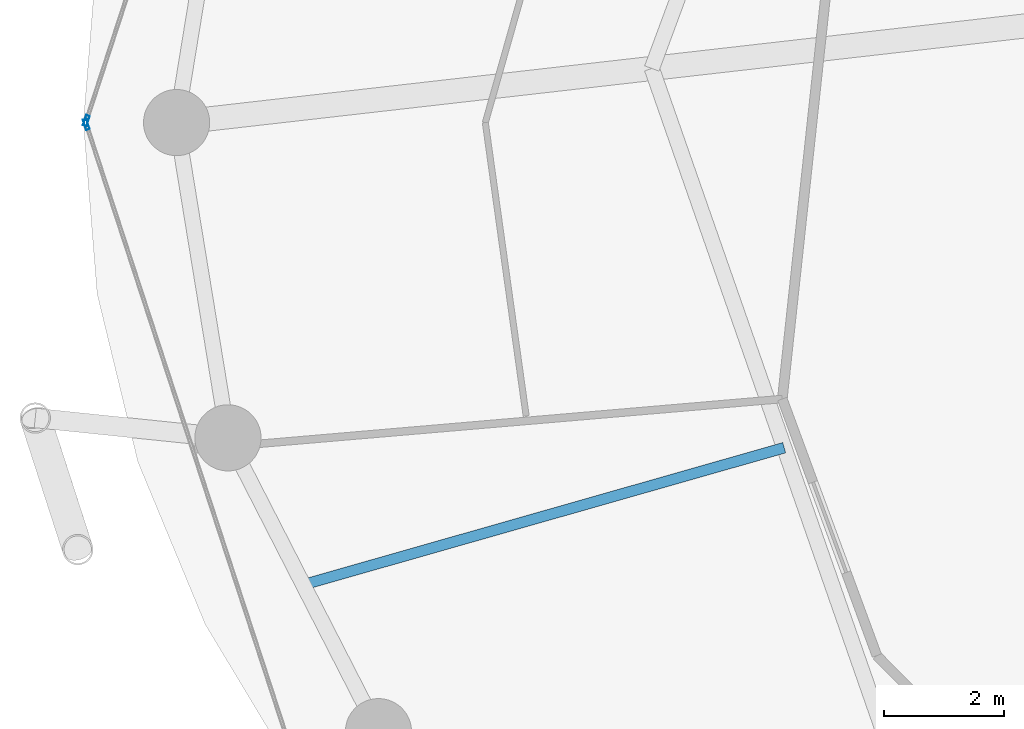
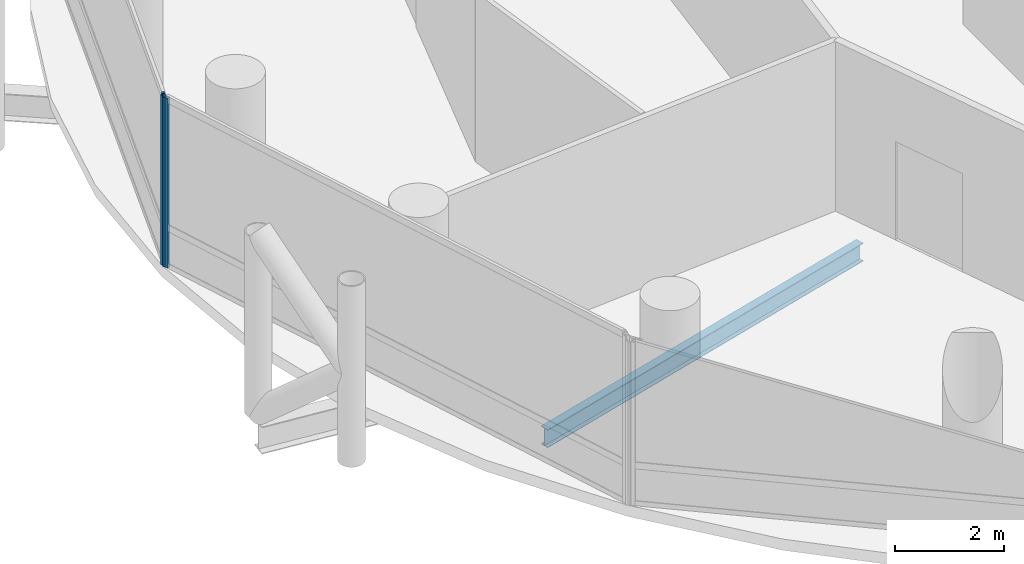
# One storey, part 6 of 24: 2 members, 1 beam, 2 elements without a shape of their own.
"""IFC4 building model written with IfcOpenShell, lengths in metres."""

import ifcopenshell
import ifcopenshell.guid

model = None  # the IFC model being written
_history = None  # IfcOwnerHistory: only IFC2X3 demands one
_inside = {}  # id of a spatial element -> (the spatial element, [elements in it])
_under = {}  # id of a project, library or spatial element -> (it, [spatial elements below it])
_declared = {}  # id of a project -> (the project, [libraries it declares])
_typed = {}  # id of a type object -> (the type object, [elements of that type])
_made_of = {}  # id of a material, layer set ... -> (it, [elements and type objects made of it])


def new_model(schema):
    """Start an empty IFC model of exactly this schema.

    Asked for "IFC4X3", IfcOpenShell would pick the latest addendum, in which some entities
    have other attributes; the version numbers below select the first issue.
    IFC2X3 requires an IfcOwnerHistory on every rooted entity: one is made here for all.
    """
    global model, _history
    if schema == "IFC4X3":
        model = ifcopenshell.file(schema_version=(4, 3, 0, 0))
    else:
        model = ifcopenshell.file(schema=schema)
    _inside.clear()
    _under.clear()
    _declared.clear()
    _typed.clear()
    _made_of.clear()
    _history = None
    if model.schema == "IFC2X3":
        org = make("IfcOrganization", Name="unknown")
        user = make(
            "IfcPersonAndOrganization",
            ThePerson=make("IfcPerson", FamilyName="unknown"),
            TheOrganization=org,
        )
        app = make(
            "IfcApplication",
            ApplicationDeveloper=org,
            Version="unknown",
            ApplicationFullName="unknown",
            ApplicationIdentifier="unknown",
        )
        _history = make(
            "IfcOwnerHistory",
            OwningUser=user,
            OwningApplication=app,
            ChangeAction="ADDED",
            CreationDate=0,
        )
    return model


def make(cls, **values):
    """One entity of the class cls with the attributes given. An attribute that is None is left unset."""
    return model.create_entity(
        cls, **{name: value for name, value in values.items() if value is not None}
    )


def rooted(cls, **values):
    """An entity with a GlobalId (a new one), such as an element, a storey or a relation."""
    return make(cls, GlobalId=ifcopenshell.guid.new(), OwnerHistory=_history, **values)


def si_unit(unit_type, name, prefix=None):
    """IfcSIUnit, for example si_unit("LENGTHUNIT", "METRE", prefix="MILLI")."""
    return make("IfcSIUnit", UnitType=unit_type, Prefix=prefix, Name=name)


def assignment(units):
    """IfcUnitAssignment: the units of a project."""
    return None if units is None else make("IfcUnitAssignment", Units=units)


def point(xyz):
    """IfcCartesianPoint."""
    return None if xyz is None else make("IfcCartesianPoint", Coordinates=xyz)


def direction(xyz):
    """IfcDirection."""
    return None if xyz is None else make("IfcDirection", DirectionRatios=xyz)


def frame(location, z_axis=None, x_axis=None):
    """IfcAxis2Placement3D, a coordinate frame: its origin and axes. An axis left out is left unset."""
    return make(
        "IfcAxis2Placement3D",
        Location=point(location),
        Axis=direction(z_axis),
        RefDirection=direction(x_axis),
    )


def frame_2d(location, x_axis=None):
    """IfcAxis2Placement2D, a coordinate frame in the plane: its origin and x axis."""
    return make(
        "IfcAxis2Placement2D", Location=point(location), RefDirection=direction(x_axis)
    )


def origin():
    """The frame at (0, 0, 0) with its axes left unset."""
    return frame((0.0, 0.0, 0.0))


def origin_2d():
    """The frame at (0, 0) in the plane with its x axis left unset."""
    return frame_2d((0.0, 0.0))


def place(relative_to, where):
    """IfcLocalPlacement: puts the frame where relative to a parent placement (None: the world)."""
    return make(
        "IfcLocalPlacement", PlacementRelTo=relative_to, RelativePlacement=where
    )


def context(
    kind, dimensions, precision=None, world=None, true_north=None, identifier=None
):
    """IfcGeometricRepresentationContext, for example the 3D "Model" context."""
    return make(
        "IfcGeometricRepresentationContext",
        ContextIdentifier=identifier,
        ContextType=kind,
        CoordinateSpaceDimension=dimensions,
        Precision=precision,
        WorldCoordinateSystem=world,
        TrueNorth=true_north,
    )


def subcontext(parent, identifier, kind, view, scale=None):
    """IfcGeometricRepresentationSubContext, for example "Body" below "Model"."""
    return make(
        "IfcGeometricRepresentationSubContext",
        ContextIdentifier=identifier,
        ContextType=kind,
        ParentContext=parent,
        TargetScale=scale,
        TargetView=view,
    )


def project(units=None, contexts=None):
    """IfcProject with its units and contexts."""
    return rooted(
        "IfcProject",
        Name="project",
        RepresentationContexts=contexts,
        UnitsInContext=assignment(units),
    )


def spatial(cls, under=None, at=None, **own):
    """A site, building, storey or space (cls), placed at a placement, below another one or the project."""
    s = rooted(cls, ObjectPlacement=at, **own)
    if under is not None:
        _under.setdefault(under.id(), (under, []))[1].append(s)
    return s


def profile(cls, at=None, kind="AREA", **sizes):
    """A parametric profile (cls). Its sizes go by their IFC names, for example OverallWidth=200.0."""
    return make(cls, ProfileType=kind, Position=at, **sizes)


def hollow_rectangle(**sizes):
    """IfcRectangleHollowProfileDef."""
    return profile("IfcRectangleHollowProfileDef", **sizes)


def i_section(**sizes):
    """IfcIShapeProfileDef."""
    return profile("IfcIShapeProfileDef", **sizes)


def extrude(swept, where, along, depth):
    """IfcExtrudedAreaSolid: the profile swept, set in the frame where, extruded along a direction by depth."""
    return make(
        "IfcExtrudedAreaSolid",
        SweptArea=swept,
        Position=where,
        ExtrudedDirection=direction(along),
        Depth=depth,
    )


def shape(context_of_items, identifier, shape_type, items):
    """IfcShapeRepresentation: the items that make up one representation, for example the "Body"."""
    return make(
        "IfcShapeRepresentation",
        ContextOfItems=context_of_items,
        RepresentationIdentifier=identifier,
        RepresentationType=shape_type,
        Items=items,
    )


def material(Name=None, Category=None):
    """IfcMaterial."""
    return make("IfcMaterial", Name=Name, Category=Category)


def layer(
    of_material, thickness, ventilated=None, Name=None, Category=None, Priority=None
):
    """IfcMaterialLayer: one layer of a wall or slab, of a material (None: an air gap)."""
    return make(
        "IfcMaterialLayer",
        Material=of_material,
        LayerThickness=thickness,
        IsVentilated=ventilated,
        Name=Name,
        Category=Category,
        Priority=Priority,
    )


def layer_set(layers, Name=None):
    """IfcMaterialLayerSet."""
    return make("IfcMaterialLayerSet", MaterialLayers=layers, LayerSetName=Name)


def material_profile(
    of_material, cross_section, Name=None, Category=None, Priority=None
):
    """IfcMaterialProfile: a cross section and its material."""
    return make(
        "IfcMaterialProfile",
        Name=Name,
        Material=of_material,
        Profile=cross_section,
        Priority=Priority,
        Category=Category,
    )


def profile_set(profiles, Name=None, composite=None):
    """IfcMaterialProfileSet."""
    return make(
        "IfcMaterialProfileSet",
        Name=Name,
        MaterialProfiles=profiles,
        CompositeProfile=composite,
    )


def made_of(thing, what):
    """Note that an element or type object is made of a material, layer set ...; save() writes the relation."""
    if what is not None:
        _made_of.setdefault(what.id(), (what, []))[1].append(thing)
    return thing


def type_object(cls, material=None, **own):
    """A type object (cls), such as IfcWallType, which elements share."""
    return made_of(rooted(cls, **own), material)


def element(
    cls,
    number,
    at=None,
    inside=None,
    cuts=None,
    type_object=None,
    material=None,
    context=None,
    identifier="Body",
    shape_type=None,
    held_by="IfcProductDefinitionShape",
    body=None,
    shapes=None,
    **own,
):
    """One element of the class cls, such as IfcWall. Its Tag is "e" and its number.

    at: its placement. inside: the storey or other place that contains it. cuts: it is an
    opening in that element (IfcRelVoidsElement). A single representation is given by context,
    identifier, shape_type and body (its items); several are given by shapes. held_by: the class
    of the entity that holds the representations. save() writes the other relations.
    """
    e = rooted(cls, Tag="e%d" % number, ObjectPlacement=at, **own)
    if body is not None:
        shapes = [shape(context, identifier, shape_type, body)]
    if shapes is not None:
        e.Representation = make(held_by, Representations=shapes)
    if inside is not None:
        _inside.setdefault(inside.id(), (inside, []))[1].append(e)
    if cuts is not None:
        rooted(
            "IfcRelVoidsElement", RelatingBuildingElement=cuts, RelatedOpeningElement=e
        )
    if type_object is not None:
        _typed.setdefault(type_object.id(), (type_object, []))[1].append(e)
    return made_of(e, material)


def aggregate(whole, parts):
    """IfcRelAggregates: a whole, such as a stair, and the parts it consists of."""
    return rooted("IfcRelAggregates", RelatingObject=whole, RelatedObjects=parts)


def save(model, path):
    """Write the relations noted so far, then the file.

    IfcRelAggregates (storeys below a building ...), IfcRelContainedInSpatialStructure (elements
    in a storey), IfcRelDefinesByType, IfcRelAssociatesMaterial and IfcRelDeclares: one each for
    every whole, place, type object, material and project.
    """
    for whole, parts in _under.values():
        aggregate(whole, parts)
    for where, things in _inside.values():
        rooted(
            "IfcRelContainedInSpatialStructure",
            RelatedElements=things,
            RelatingStructure=where,
        )
    for kind, things in _typed.values():
        rooted("IfcRelDefinesByType", RelatedObjects=things, RelatingType=kind)
    for what, things in _made_of.values():
        rooted("IfcRelAssociatesMaterial", RelatedObjects=things, RelatingMaterial=what)
    for by, libraries in _declared.values():
        rooted("IfcRelDeclares", RelatingContext=by, RelatedDefinitions=libraries)
    model.write(path)


model = new_model("IFC4")

# Units and contexts
model_context = context("Model", 3, precision=1e-05, world=origin(), true_north=direction((0.0, 1.0)))
body_context = subcontext(model_context, "Body", "Model", "MODEL_VIEW")
ifc_project = project(units=[si_unit("LENGTHUNIT", "METRE"), si_unit("AREAUNIT", "SQUARE_METRE"), si_unit("VOLUMEUNIT", "CUBIC_METRE"), si_unit("PLANEANGLEUNIT", "RADIAN"), si_unit("MASSUNIT", "GRAM", prefix="KILO")], contexts=[model_context])

# Site, building, storey
site_placement = place(None, origin())
site = spatial("IfcSite", under=ifc_project, at=site_placement, CompositionType="ELEMENT")
building_placement = place(site_placement, origin())
building = spatial("IfcBuilding", under=site, at=building_placement, Name="Nuhasar Tower", CompositionType="ELEMENT")
storey_placement = place(building_placement, frame((0.0, 0.0, 89.85009765625)))
storey = spatial("IfcBuildingStorey", under=building, at=storey_placement, Name="L21", CompositionType="ELEMENT", Elevation=89.85009765625)

# Beam
ifc_material_1 = material(Name="Steel S355", Category="steel")
ifc_material_profile_1 = material_profile(ifc_material_1, i_section(OverallWidth=0.177978515625, OverallDepth=0.406005859375, WebThickness=0.0078125, FlangeThickness=0.0126953125, at=origin_2d()), Name="W16X40")
ifc_profile_set_1 = profile_set([ifc_material_profile_1], Name="Steel S355")
beam_type = type_object("IfcBeamType", Name="BM-JST-W16X40", PredefinedType="JOIST", material=ifc_profile_set_1)
beam_placement = place(storey_placement, frame((24.051025390625, 21.39501953125, -0.453125), z_axis=(-0.961730884496, -0.273995813484, 0.0), x_axis=(0.273995813484, -0.961730884496, 0.0)))
element("IfcBeam", 1, at=beam_placement, inside=storey, type_object=beam_type, Name="L21 Secondary Floor Joist 08", PredefinedType="JOIST", context=body_context, shape_type="SweptSolid", body=[
    extrude(i_section(OverallWidth=0.177978515625, OverallDepth=0.406005859375, WebThickness=0.0078125, FlangeThickness=0.0126953125, at=origin_2d()), origin(), (0.0, 0.0, 1.0), 8.314208984375),
])

# Curtain wall, member
ifc_material_2 = material(Name="Aluminium 6063-T6", Category="aluminium")
ifc_layer = layer(ifc_material_2, 0.199951171875)
ifc_layer_set = layer_set([ifc_layer], Name="Aluminium 6063-T6")
curtain_wall_type = type_object("IfcCurtainWallType", Name="CW-Z1-OFF", PredefinedType="NOTDEFINED", material=ifc_layer_set)
curtain_wall_1_placement = place(storey_placement, origin())
curtain_wall_1 = element("IfcCurtainWall", 2, at=curtain_wall_1_placement, inside=storey, type_object=curtain_wall_type, Name="L21 Unitised Curtain Wall 06", PredefinedType="NOTDEFINED")
ifc_material_profile_2 = material_profile(ifc_material_2, hollow_rectangle(XDim=0.06494140625, YDim=0.179931640625, WallThickness=0.0048828125, at=origin_2d()), Name="CWM-2")
ifc_profile_set_2 = profile_set([ifc_material_profile_2], Name="Aluminium 6063-T6")
member_type = type_object("IfcMemberType", Name="CW-MUL-S2", PredefinedType="MULLION", material=ifc_profile_set_2)
member_1_placement = place(storey_placement, frame((12.4501953125, 26.830810546875, 0.0), z_axis=(0.0, 0.0, 1.0), x_axis=(0.950467534571, -0.310823849997, 0.0)))
member_1 = element("IfcMember", 3, at=member_1_placement, type_object=member_type, Name="CW-Z1 mullion 2", PredefinedType="MULLION", context=body_context, shape_type="SweptSolid", body=[
    extrude(hollow_rectangle(XDim=0.06494140625, YDim=0.179931640625, WallThickness=0.0048828125, at=origin_2d()), origin(), (0.0, 0.0, 1.0), 3.7998046875),
])
aggregate(curtain_wall_1, [member_1])

curtain_wall_2_placement = place(storey_placement, origin())
curtain_wall_2 = element("IfcCurtainWall", 4, at=curtain_wall_2_placement, inside=storey, type_object=curtain_wall_type, Name="L21 Unitised Curtain Wall 07", PredefinedType="NOTDEFINED")
member_2_placement = place(storey_placement, frame((12.4501953125, 26.76904296875, 0.0), z_axis=(0.0, 0.0, 1.0), x_axis=(0.950467534571, 0.310823849997, 0.0)))
member_2 = element("IfcMember", 5, at=member_2_placement, type_object=member_type, Name="CW-Z1 mullion 1", PredefinedType="MULLION", context=body_context, shape_type="SweptSolid", body=[
    extrude(hollow_rectangle(XDim=0.06494140625, YDim=0.179931640625, WallThickness=0.0048828125, at=origin_2d()), origin(), (0.0, 0.0, 1.0), 3.7998046875),
])
aggregate(curtain_wall_2, [member_2])

save(model, "model.ifc")
